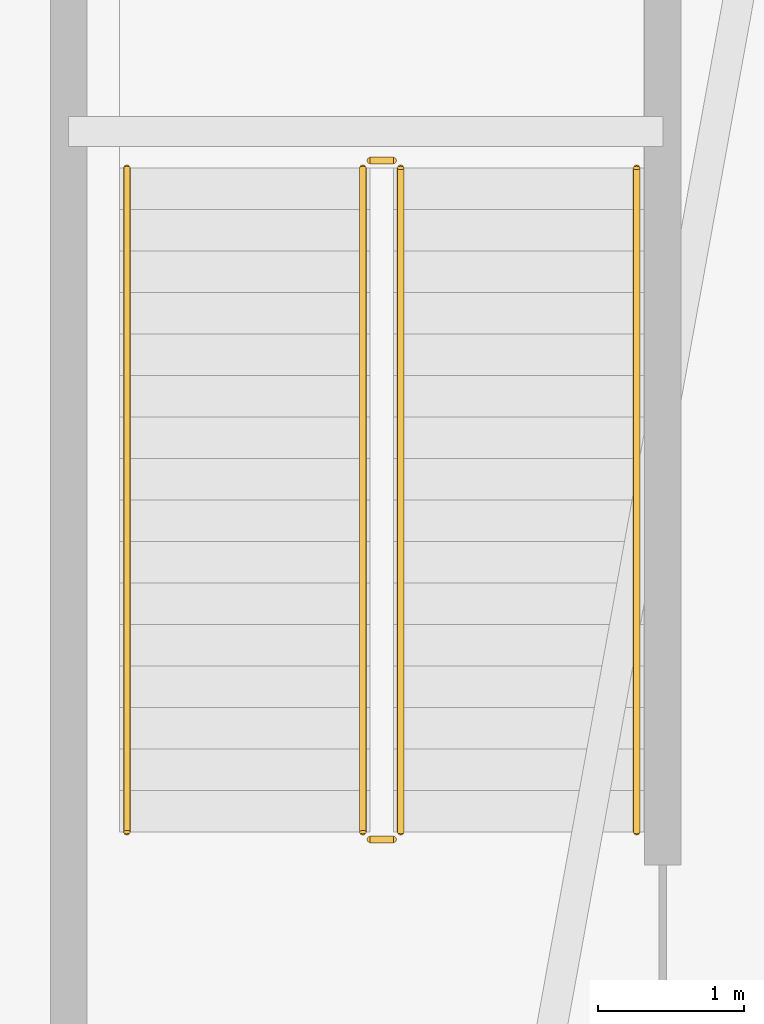
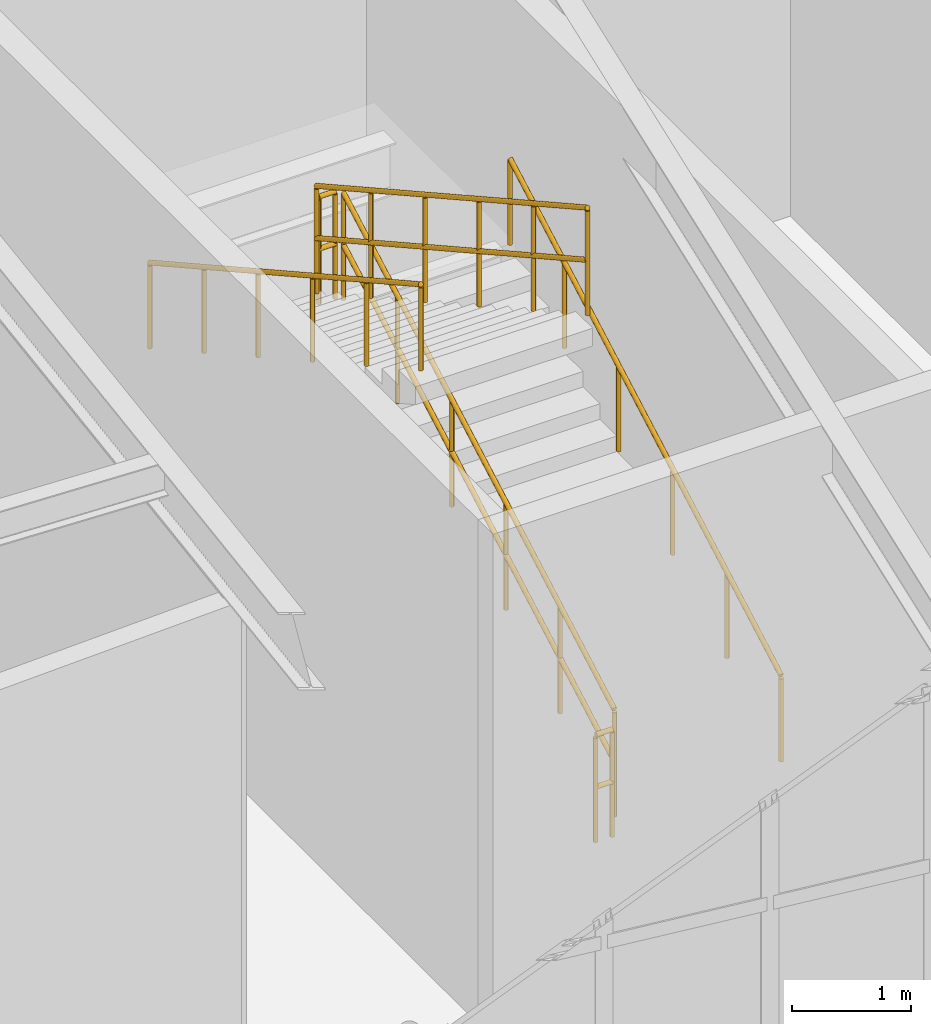
# One storey, part 85 of 87: 6 railings.
"""IFC4 building model written with IfcOpenShell, lengths in metres."""

import ifcopenshell
import ifcopenshell.guid

model = None  # the IFC model being written
_history = None  # IfcOwnerHistory: only IFC2X3 demands one
_inside = {}  # id of a spatial element -> (the spatial element, [elements in it])
_under = {}  # id of a project, library or spatial element -> (it, [spatial elements below it])
_declared = {}  # id of a project -> (the project, [libraries it declares])
_typed = {}  # id of a type object -> (the type object, [elements of that type])
_made_of = {}  # id of a material, layer set ... -> (it, [elements and type objects made of it])


def new_model(schema):
    """Start an empty IFC model of exactly this schema.

    Asked for "IFC4X3", IfcOpenShell would pick the latest addendum, in which some entities
    have other attributes; the version numbers below select the first issue.
    IFC2X3 requires an IfcOwnerHistory on every rooted entity: one is made here for all.
    """
    global model, _history
    if schema == "IFC4X3":
        model = ifcopenshell.file(schema_version=(4, 3, 0, 0))
    else:
        model = ifcopenshell.file(schema=schema)
    _inside.clear()
    _under.clear()
    _declared.clear()
    _typed.clear()
    _made_of.clear()
    _history = None
    if model.schema == "IFC2X3":
        org = make("IfcOrganization", Name="unknown")
        user = make(
            "IfcPersonAndOrganization",
            ThePerson=make("IfcPerson", FamilyName="unknown"),
            TheOrganization=org,
        )
        app = make(
            "IfcApplication",
            ApplicationDeveloper=org,
            Version="unknown",
            ApplicationFullName="unknown",
            ApplicationIdentifier="unknown",
        )
        _history = make(
            "IfcOwnerHistory",
            OwningUser=user,
            OwningApplication=app,
            ChangeAction="ADDED",
            CreationDate=0,
        )
    return model


def make(cls, **values):
    """One entity of the class cls with the attributes given. An attribute that is None is left unset."""
    return model.create_entity(
        cls, **{name: value for name, value in values.items() if value is not None}
    )


def rooted(cls, **values):
    """An entity with a GlobalId (a new one), such as an element, a storey or a relation."""
    return make(cls, GlobalId=ifcopenshell.guid.new(), OwnerHistory=_history, **values)


def si_unit(unit_type, name, prefix=None):
    """IfcSIUnit, for example si_unit("LENGTHUNIT", "METRE", prefix="MILLI")."""
    return make("IfcSIUnit", UnitType=unit_type, Prefix=prefix, Name=name)


def assignment(units):
    """IfcUnitAssignment: the units of a project."""
    return None if units is None else make("IfcUnitAssignment", Units=units)


def point(xyz):
    """IfcCartesianPoint."""
    return None if xyz is None else make("IfcCartesianPoint", Coordinates=xyz)


def direction(xyz):
    """IfcDirection."""
    return None if xyz is None else make("IfcDirection", DirectionRatios=xyz)


def frame(location, z_axis=None, x_axis=None):
    """IfcAxis2Placement3D, a coordinate frame: its origin and axes. An axis left out is left unset."""
    return make(
        "IfcAxis2Placement3D",
        Location=point(location),
        Axis=direction(z_axis),
        RefDirection=direction(x_axis),
    )


def frame_2d(location, x_axis=None):
    """IfcAxis2Placement2D, a coordinate frame in the plane: its origin and x axis."""
    return make(
        "IfcAxis2Placement2D", Location=point(location), RefDirection=direction(x_axis)
    )


def origin():
    """The frame at (0, 0, 0) with its axes left unset."""
    return frame((0.0, 0.0, 0.0))


def origin_2d():
    """The frame at (0, 0) in the plane with its x axis left unset."""
    return frame_2d((0.0, 0.0))


def place(relative_to, where):
    """IfcLocalPlacement: puts the frame where relative to a parent placement (None: the world)."""
    return make(
        "IfcLocalPlacement", PlacementRelTo=relative_to, RelativePlacement=where
    )


def context(
    kind, dimensions, precision=None, world=None, true_north=None, identifier=None
):
    """IfcGeometricRepresentationContext, for example the 3D "Model" context."""
    return make(
        "IfcGeometricRepresentationContext",
        ContextIdentifier=identifier,
        ContextType=kind,
        CoordinateSpaceDimension=dimensions,
        Precision=precision,
        WorldCoordinateSystem=world,
        TrueNorth=true_north,
    )


def subcontext(parent, identifier, kind, view, scale=None):
    """IfcGeometricRepresentationSubContext, for example "Body" below "Model"."""
    return make(
        "IfcGeometricRepresentationSubContext",
        ContextIdentifier=identifier,
        ContextType=kind,
        ParentContext=parent,
        TargetScale=scale,
        TargetView=view,
    )


def project(units=None, contexts=None):
    """IfcProject with its units and contexts."""
    return rooted(
        "IfcProject",
        Name="project",
        RepresentationContexts=contexts,
        UnitsInContext=assignment(units),
    )


def spatial(cls, under=None, at=None, **own):
    """A site, building, storey or space (cls), placed at a placement, below another one or the project."""
    s = rooted(cls, ObjectPlacement=at, **own)
    if under is not None:
        _under.setdefault(under.id(), (under, []))[1].append(s)
    return s


def profile(cls, at=None, kind="AREA", **sizes):
    """A parametric profile (cls). Its sizes go by their IFC names, for example OverallWidth=200.0."""
    return make(cls, ProfileType=kind, Position=at, **sizes)


def circle(**sizes):
    """IfcCircleProfileDef."""
    return profile("IfcCircleProfileDef", **sizes)


def extrude(swept, where, along, depth):
    """IfcExtrudedAreaSolid: the profile swept, set in the frame where, extruded along a direction by depth."""
    return make(
        "IfcExtrudedAreaSolid",
        SweptArea=swept,
        Position=where,
        ExtrudedDirection=direction(along),
        Depth=depth,
    )


def shape(context_of_items, identifier, shape_type, items):
    """IfcShapeRepresentation: the items that make up one representation, for example the "Body"."""
    return make(
        "IfcShapeRepresentation",
        ContextOfItems=context_of_items,
        RepresentationIdentifier=identifier,
        RepresentationType=shape_type,
        Items=items,
    )


def material(Name=None, Category=None):
    """IfcMaterial."""
    return make("IfcMaterial", Name=Name, Category=Category)


def layer(
    of_material, thickness, ventilated=None, Name=None, Category=None, Priority=None
):
    """IfcMaterialLayer: one layer of a wall or slab, of a material (None: an air gap)."""
    return make(
        "IfcMaterialLayer",
        Material=of_material,
        LayerThickness=thickness,
        IsVentilated=ventilated,
        Name=Name,
        Category=Category,
        Priority=Priority,
    )


def layer_set(layers, Name=None):
    """IfcMaterialLayerSet."""
    return make("IfcMaterialLayerSet", MaterialLayers=layers, LayerSetName=Name)


def made_of(thing, what):
    """Note that an element or type object is made of a material, layer set ...; save() writes the relation."""
    if what is not None:
        _made_of.setdefault(what.id(), (what, []))[1].append(thing)
    return thing


def type_object(cls, material=None, **own):
    """A type object (cls), such as IfcWallType, which elements share."""
    return made_of(rooted(cls, **own), material)


def element(
    cls,
    number,
    at=None,
    inside=None,
    cuts=None,
    type_object=None,
    material=None,
    context=None,
    identifier="Body",
    shape_type=None,
    held_by="IfcProductDefinitionShape",
    body=None,
    shapes=None,
    **own,
):
    """One element of the class cls, such as IfcWall. Its Tag is "e" and its number.

    at: its placement. inside: the storey or other place that contains it. cuts: it is an
    opening in that element (IfcRelVoidsElement). A single representation is given by context,
    identifier, shape_type and body (its items); several are given by shapes. held_by: the class
    of the entity that holds the representations. save() writes the other relations.
    """
    e = rooted(cls, Tag="e%d" % number, ObjectPlacement=at, **own)
    if body is not None:
        shapes = [shape(context, identifier, shape_type, body)]
    if shapes is not None:
        e.Representation = make(held_by, Representations=shapes)
    if inside is not None:
        _inside.setdefault(inside.id(), (inside, []))[1].append(e)
    if cuts is not None:
        rooted(
            "IfcRelVoidsElement", RelatingBuildingElement=cuts, RelatedOpeningElement=e
        )
    if type_object is not None:
        _typed.setdefault(type_object.id(), (type_object, []))[1].append(e)
    return made_of(e, material)


def aggregate(whole, parts):
    """IfcRelAggregates: a whole, such as a stair, and the parts it consists of."""
    return rooted("IfcRelAggregates", RelatingObject=whole, RelatedObjects=parts)


def save(model, path):
    """Write the relations noted so far, then the file.

    IfcRelAggregates (storeys below a building ...), IfcRelContainedInSpatialStructure (elements
    in a storey), IfcRelDefinesByType, IfcRelAssociatesMaterial and IfcRelDeclares: one each for
    every whole, place, type object, material and project.
    """
    for whole, parts in _under.values():
        aggregate(whole, parts)
    for where, things in _inside.values():
        rooted(
            "IfcRelContainedInSpatialStructure",
            RelatedElements=things,
            RelatingStructure=where,
        )
    for kind, things in _typed.values():
        rooted("IfcRelDefinesByType", RelatedObjects=things, RelatingType=kind)
    for what, things in _made_of.values():
        rooted("IfcRelAssociatesMaterial", RelatedObjects=things, RelatingMaterial=what)
    for by, libraries in _declared.values():
        rooted("IfcRelDeclares", RelatingContext=by, RelatedDefinitions=libraries)
    model.write(path)


model = new_model("IFC4")

# Units and contexts
model_context = context("Model", 3, precision=1e-05, world=origin(), true_north=direction((0.0, 1.0)))
body_context = subcontext(model_context, "Body", "Model", "MODEL_VIEW")
ifc_project = project(units=[si_unit("LENGTHUNIT", "METRE"), si_unit("AREAUNIT", "SQUARE_METRE"), si_unit("VOLUMEUNIT", "CUBIC_METRE"), si_unit("PLANEANGLEUNIT", "RADIAN"), si_unit("MASSUNIT", "GRAM", prefix="KILO")], contexts=[model_context])

# Site, building, storey
site_placement = place(None, origin())
site = spatial("IfcSite", under=ifc_project, at=site_placement, CompositionType="ELEMENT")
building_placement = place(site_placement, origin())
building = spatial("IfcBuilding", under=site, at=building_placement, Name="Selat Folded Stagehouse", CompositionType="ELEMENT")
storey_placement = place(building_placement, origin())
storey = spatial("IfcBuildingStorey", under=building, at=storey_placement, Name="L00", CompositionType="ELEMENT", Elevation=0.0)

# Railings
ifc_material_1 = material(Name="Bronze-anodised steel balustrade", Category="steel")
ifc_layer_1 = layer(ifc_material_1, 0.06494140625)
ifc_layer_set_1 = layer_set([ifc_layer_1], Name="Bronze-anodised steel balustrade")
railing_type_1 = type_object("IfcRailingType", Name="RLG-BAL-1120", PredefinedType="BALUSTRADE", material=ifc_layer_set_1)
railing_1_placement = place(storey_placement, frame((102.080078125, 98.39990234375, 0.158935546875)))
element("IfcRailing", 1, at=railing_1_placement, inside=storey, type_object=railing_type_1, Name="L00 ST-06 stair well guard 1", PredefinedType="BALUSTRADE", context=body_context, shape_type="SweptSolid", body=[
    extrude(circle(Radius=0.02392578125, at=origin_2d()), frame((0.0, 0.0, 1.09619140625), z_axis=(0.0, 0.873534455015, 0.486762319723), x_axis=(-1.0, 0.0, 0.0)), (0.0, 0.0, 1.0), 5.22021484375),
    extrude(circle(Radius=0.02392578125, at=origin_2d()), frame((0.0, 0.0, 0.56005859375), z_axis=(0.0, 0.873534455015, 0.486762319723), x_axis=(-1.0, 0.0, 0.0)), (0.0, 0.0, 1.0), 5.22021484375),
    extrude(circle(Radius=0.02099609375, at=origin_2d()), origin(), (0.0, 0.0, 1.0), 1.072021484375),
    extrude(circle(Radius=0.02099609375, at=origin_2d()), frame((0.0, 0.912109375, 0.50830078125)), (0.0, 0.0, 1.0), 1.072021484375),
    extrude(circle(Radius=0.02099609375, at=origin_2d()), frame((0.0, 1.823974609375, 1.016357421875)), (0.0, 0.0, 1.0), 1.072021484375),
    extrude(circle(Radius=0.02099609375, at=origin_2d()), frame((0.0, 2.736083984375, 1.524658203125)), (0.0, 0.0, 1.0), 1.072021484375),
    extrude(circle(Radius=0.02099609375, at=origin_2d()), frame((0.0, 3.64794921875, 2.03271484375)), (0.0, 0.0, 1.0), 1.072021484375),
    extrude(circle(Radius=0.02099609375, at=origin_2d()), frame((0.0, 4.56005859375, 2.541015625)), (0.0, 0.0, 1.0), 1.072021484375),
])
railing_2_placement = place(storey_placement, frame((102.030029296875, 103.010009765625, 2.699951171875)))
element("IfcRailing", 2, at=railing_2_placement, inside=storey, type_object=railing_type_1, Name="L00 ST-06 stair well guard 2", PredefinedType="BALUSTRADE", context=body_context, shape_type="SweptSolid", body=[
    extrude(circle(Radius=0.02392578125, at=origin_2d()), frame((0.0, 0.0, 1.09619140625), z_axis=(-1.0, 0.0, 0.0), x_axis=(0.0, -1.0, 0.0)), (0.0, 0.0, 1.0), 0.159912109375),
    extrude(circle(Radius=0.02392578125, at=origin_2d()), frame((0.0, 0.0, 0.56005859375), z_axis=(-1.0, 0.0, 0.0), x_axis=(0.0, -1.0, 0.0)), (0.0, 0.0, 1.0), 0.159912109375),
    extrude(circle(Radius=0.02099609375, at=origin_2d()), origin(), (0.0, 0.0, 1.0), 1.072021484375),
    extrude(circle(Radius=0.02099609375, at=origin_2d()), frame((-0.159912109375, 0.0, 0.0)), (0.0, 0.0, 1.0), 1.072021484375),
])
railing_3_placement = place(storey_placement, frame((101.820068359375, 102.9599609375, 2.85888671875)))
element("IfcRailing", 3, at=railing_3_placement, inside=storey, type_object=railing_type_1, Name="L00 ST-06 stair well guard 3", PredefinedType="BALUSTRADE", context=body_context, shape_type="SweptSolid", body=[
    extrude(circle(Radius=0.02392578125, at=origin_2d()), frame((0.0, 0.0, 1.09619140625), z_axis=(0.0, -0.873534455015, 0.486762319723), x_axis=(1.0, 0.0, 0.0)), (0.0, 0.0, 1.0), 5.22021484375),
    extrude(circle(Radius=0.02392578125, at=origin_2d()), frame((0.0, 0.0, 0.56005859375), z_axis=(0.0, -0.873534455015, 0.486762319723), x_axis=(1.0, 0.0, 0.0)), (0.0, 0.0, 1.0), 5.22021484375),
    extrude(circle(Radius=0.02099609375, at=origin_2d()), origin(), (0.0, 0.0, 1.0), 1.072021484375),
    extrude(circle(Radius=0.02099609375, at=origin_2d()), frame((0.0, -0.912109375, 0.50830078125)), (0.0, 0.0, 1.0), 1.072021484375),
    extrude(circle(Radius=0.02099609375, at=origin_2d()), frame((0.0, -1.823974609375, 1.016357421875)), (0.0, 0.0, 1.0), 1.072021484375),
    extrude(circle(Radius=0.02099609375, at=origin_2d()), frame((0.0, -2.736083984375, 1.524658203125)), (0.0, 0.0, 1.0), 1.072021484375),
    extrude(circle(Radius=0.02099609375, at=origin_2d()), frame((0.0, -3.64794921875, 2.03271484375)), (0.0, 0.0, 1.0), 1.072021484375),
    extrude(circle(Radius=0.02099609375, at=origin_2d()), frame((0.0, -4.56005859375, 2.541015625)), (0.0, 0.0, 1.0), 1.072021484375),
])
railing_4_placement = place(storey_placement, frame((102.030029296875, 98.35009765625, 0.0)))
element("IfcRailing", 4, at=railing_4_placement, inside=storey, type_object=railing_type_1, Name="L00 ST-06 stair well guard 4", PredefinedType="BALUSTRADE", context=body_context, shape_type="SweptSolid", body=[
    extrude(circle(Radius=0.02392578125, at=origin_2d()), frame((0.0, 0.0, 1.09619140625), z_axis=(-1.0, 0.0, 0.0), x_axis=(0.0, -1.0, 0.0)), (0.0, 0.0, 1.0), 0.159912109375),
    extrude(circle(Radius=0.02392578125, at=origin_2d()), frame((0.0, 0.0, 0.56005859375), z_axis=(-1.0, 0.0, 0.0), x_axis=(0.0, -1.0, 0.0)), (0.0, 0.0, 1.0), 0.159912109375),
    extrude(circle(Radius=0.02099609375, at=origin_2d()), origin(), (0.0, 0.0, 1.0), 1.072021484375),
    extrude(circle(Radius=0.02099609375, at=origin_2d()), frame((-0.159912109375, 0.0, 0.0)), (0.0, 0.0, 1.0), 1.072021484375),
])
ifc_material_2 = material(Name="Brushed stainless steel 1.4301", Category="steel")
ifc_layer_2 = layer(ifc_material_2, 0.048095703125)
ifc_layer_set_2 = layer_set([ifc_layer_2], Name="Brushed stainless steel 1.4301")
railing_type_2 = type_object("IfcRailingType", Name="RLG-HANDRAIL-900", PredefinedType="HANDRAIL", material=ifc_layer_set_2)
railing_5_placement = place(storey_placement, frame((103.699951171875, 98.39990234375, 0.158935546875)))
element("IfcRailing", 5, at=railing_5_placement, inside=storey, type_object=railing_type_2, Name="L00 ST-06 wall handrail 1", PredefinedType="HANDRAIL", context=body_context, shape_type="SweptSolid", body=[
    extrude(circle(Radius=0.02392578125, at=origin_2d()), frame((0.0, 0.0, 0.8759765625), z_axis=(0.0, 0.873534455015, 0.486762319723), x_axis=(-1.0, 0.0, 0.0)), (0.0, 0.0, 1.0), 5.22021484375),
    extrude(circle(Radius=0.02099609375, at=origin_2d()), origin(), (0.0, 0.0, 1.0), 0.851806640625),
    extrude(circle(Radius=0.02099609375, at=origin_2d()), frame((0.0, 0.912109375, 0.50830078125)), (0.0, 0.0, 1.0), 0.851806640625),
    extrude(circle(Radius=0.02099609375, at=origin_2d()), frame((0.0, 1.823974609375, 1.016357421875)), (0.0, 0.0, 1.0), 0.851806640625),
    extrude(circle(Radius=0.02099609375, at=origin_2d()), frame((0.0, 2.736083984375, 1.524658203125)), (0.0, 0.0, 1.0), 0.851806640625),
    extrude(circle(Radius=0.02099609375, at=origin_2d()), frame((0.0, 3.64794921875, 2.03271484375)), (0.0, 0.0, 1.0), 0.851806640625),
    extrude(circle(Radius=0.02099609375, at=origin_2d()), frame((0.0, 4.56005859375, 2.541015625)), (0.0, 0.0, 1.0), 0.851806640625),
])
railing_6_placement = place(storey_placement, frame((100.199951171875, 102.9599609375, 2.85888671875)))
element("IfcRailing", 6, at=railing_6_placement, inside=storey, type_object=railing_type_2, Name="L00 ST-06 wall handrail 2", PredefinedType="HANDRAIL", context=body_context, shape_type="SweptSolid", body=[
    extrude(circle(Radius=0.02392578125, at=origin_2d()), frame((0.0, 0.0, 0.8759765625), z_axis=(0.0, -0.873534455015, 0.486762319723), x_axis=(1.0, 0.0, 0.0)), (0.0, 0.0, 1.0), 5.22021484375),
    extrude(circle(Radius=0.02099609375, at=origin_2d()), origin(), (0.0, 0.0, 1.0), 0.851806640625),
    extrude(circle(Radius=0.02099609375, at=origin_2d()), frame((0.0, -0.912109375, 0.50830078125)), (0.0, 0.0, 1.0), 0.851806640625),
    extrude(circle(Radius=0.02099609375, at=origin_2d()), frame((0.0, -1.823974609375, 1.016357421875)), (0.0, 0.0, 1.0), 0.851806640625),
    extrude(circle(Radius=0.02099609375, at=origin_2d()), frame((0.0, -2.736083984375, 1.524658203125)), (0.0, 0.0, 1.0), 0.851806640625),
    extrude(circle(Radius=0.02099609375, at=origin_2d()), frame((0.0, -3.64794921875, 2.03271484375)), (0.0, 0.0, 1.0), 0.851806640625),
    extrude(circle(Radius=0.02099609375, at=origin_2d()), frame((0.0, -4.56005859375, 2.541015625)), (0.0, 0.0, 1.0), 0.851806640625),
])

save(model, "model.ifc")
